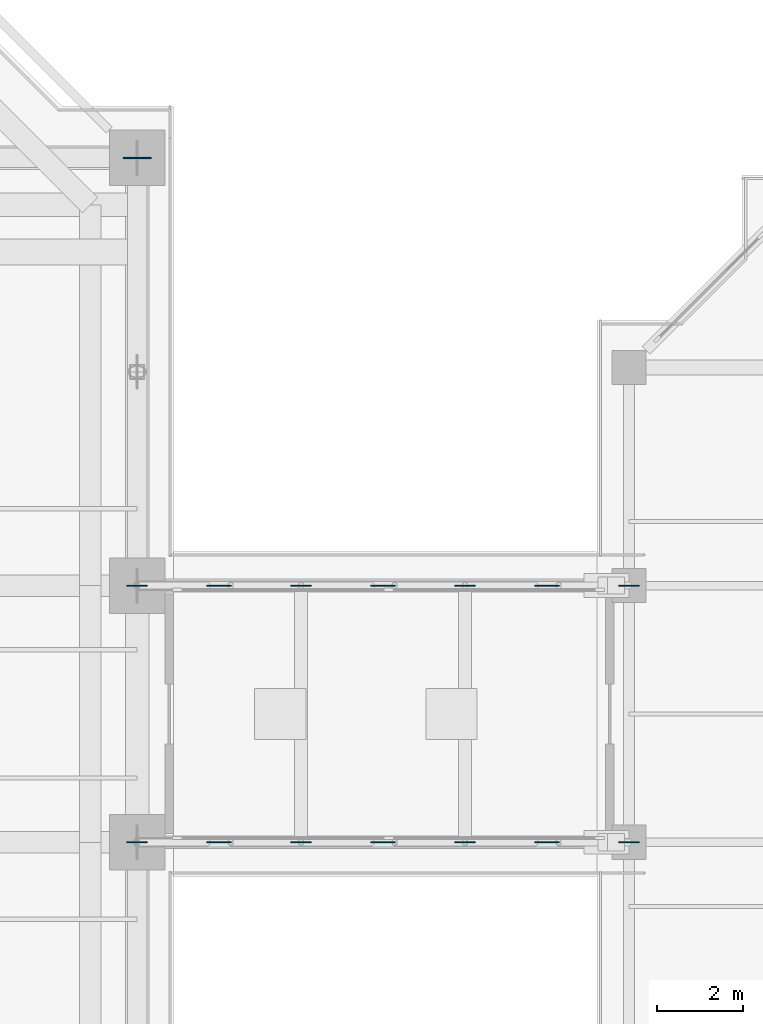
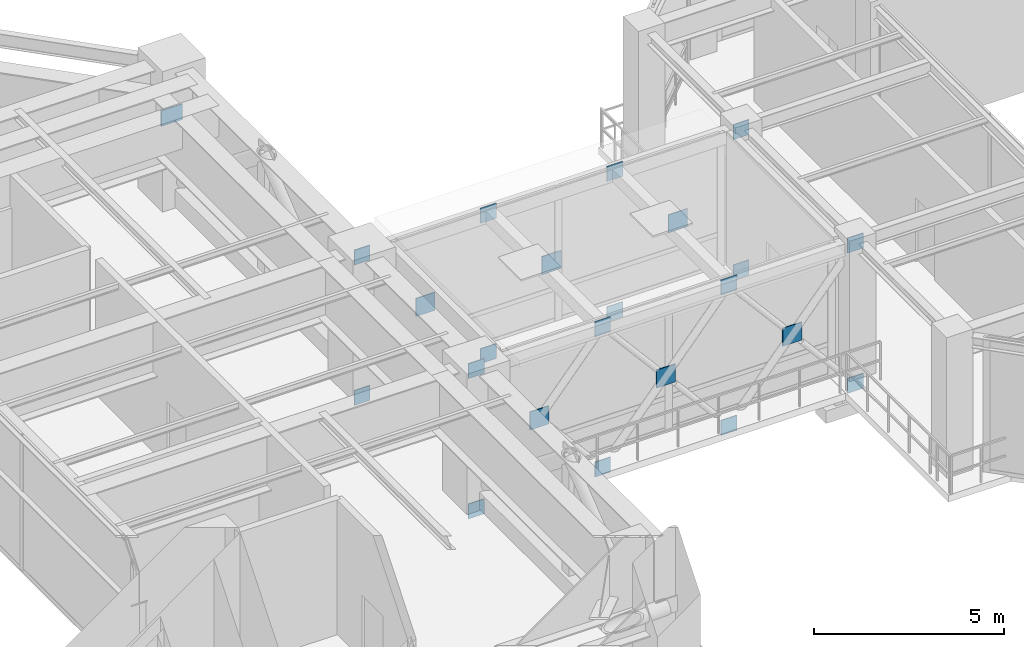
# One storey, part 16 of 25: 23 plates.
"""IFC4 building model written with IfcOpenShell, lengths in metres."""

from ifc_helpers import new_model, si_unit, direction, frame, origin, origin_2d, place, context, subcontext, project, spatial, rectangle, extrude, source, transform, mapped, material, layer, layer_set, type_object, element, save


model = new_model("IFC4")

# Units and contexts
model_context = context("Model", 3, precision=1e-05, world=origin(), true_north=direction((0.0, 1.0)))
body_context = subcontext(model_context, "Body", "Model", "MODEL_VIEW")
ifc_project = project(units=[si_unit("LENGTHUNIT", "METRE"), si_unit("AREAUNIT", "SQUARE_METRE"), si_unit("VOLUMEUNIT", "CUBIC_METRE"), si_unit("PLANEANGLEUNIT", "RADIAN"), si_unit("MASSUNIT", "GRAM", prefix="KILO"), si_unit("THERMODYNAMICTEMPERATUREUNIT", "KELVIN"), si_unit("POWERUNIT", "WATT")], contexts=[model_context])

# Site, building, storey
site_placement = place(None, origin())
site = spatial("IfcSite", under=ifc_project, at=site_placement, CompositionType="ELEMENT")
building_placement = place(site_placement, origin())
building = spatial("IfcBuilding", under=site, at=building_placement, Name="Qiaomeng Ring Towers", CompositionType="ELEMENT")
storey_placement = place(building_placement, frame((0.0, 0.0, 92.5)))
storey = spatial("IfcBuildingStorey", under=building, at=storey_placement, Name="L26", CompositionType="ELEMENT", Elevation=92.5)

# Plates
ifc_material = material(Name="Steel Q390GJC", Category="steel")
ifc_layer = layer(ifc_material, 0.031982421875, Name="Steel Q390GJC")
ifc_layer_set = layer_set([ifc_layer], Name="Steel Q390GJC")
plate_type = type_object("IfcPlateType", Name="STR-PL-GUSSET", PredefinedType="USERDEFINED", material=ifc_layer_set)
shared_shape_1 = source(origin(), body_context, "Body", "SweptSolid", [
    extrude(rectangle(XDim=0.64990234375, YDim=0.035888671875, at=origin_2d()), origin(), (0.0, 0.0, 1.0), 0.5),
])
plate_placement = place(storey_placement, frame((37.14990234375, 36.0, 2.25), z_axis=(0.0, 0.0, 1.0), x_axis=(1.0, 0.0, 0.0)))
element("IfcPlate", 1, at=plate_placement, inside=storey, type_object=plate_type, Name="L26 Outrigger Column Node Gusset Plate E4", ObjectType="GUSSET PLATE", PredefinedType="USERDEFINED", context=body_context, shape_type="MappedRepresentation", body=[
    mapped(shared_shape_1, transform((0.0, 0.0, 0.0), x_axis=(1.0, 0.0, 0.0), y_axis=(0.0, 1.0, 0.0), z_axis=(0.0, 0.0, 1.0), scale=1.0)),
])
shared_shape_2 = source(origin(), body_context, "Body", "SweptSolid", [
    extrude(rectangle(XDim=0.580078125, YDim=0.028076171875, at=origin_2d()), origin(), (0.0, 0.0, 1.0), 0.580078125),
])
for number, where, z_axis, x_axis, name in (
    (2, (39.06640625, 20.0, 1.530029296875), (0.0, 0.0, 1.0), (1.0, 0.0, 0.0), "Skybridge Bridge SB2 X-Brace Crossing Gusset Plate S-1"),
    (3, (42.89990234375, 20.0, 1.530029296875), (0.0, 0.0, 1.0), (1.0, 0.0, 0.0), "Skybridge Bridge SB2 X-Brace Crossing Gusset Plate S-2"),
    (4, (46.7333984375, 20.0, 1.530029296875), (0.0, 0.0, 1.0), (1.0, 0.0, 0.0), "Skybridge Bridge SB2 X-Brace Crossing Gusset Plate S-3"),
    (5, (39.06640625, 26.0, 1.530029296875), (0.0, 0.0, 1.0), (1.0, 0.0, 0.0), "Skybridge Bridge SB2 X-Brace Crossing Gusset Plate N-1"),
    (6, (42.89990234375, 26.0, 1.530029296875), (0.0, 0.0, 1.0), (1.0, 0.0, 0.0), "Skybridge Bridge SB2 X-Brace Crossing Gusset Plate N-2"),
    (7, (46.7333984375, 26.0, 1.530029296875), (0.0, 0.0, 1.0), (1.0, 0.0, 0.0), "Skybridge Bridge SB2 X-Brace Crossing Gusset Plate N-3"),
):
    element("IfcPlate", number, at=place(storey_placement, frame(where, z_axis=z_axis, x_axis=x_axis)), inside=storey, type_object=plate_type, Name=name, ObjectType="GUSSET PLATE", PredefinedType="USERDEFINED", context=body_context, shape_type="MappedRepresentation", body=[
        mapped(shared_shape_2, transform((0.0, 0.0, 0.0), x_axis=(1.0, 0.0, 0.0), y_axis=(0.0, 1.0, 0.0), z_axis=(0.0, 0.0, 1.0), scale=1.0)),
    ])
shared_shape_3 = source(origin(), body_context, "Body", "SweptSolid", [
    extrude(rectangle(XDim=0.47998046875, YDim=0.028076171875, at=origin_2d()), origin(), (0.0, 0.0, 1.0), 0.47998046875),
])
for number, where, z_axis, x_axis, name in (
    (8, (37.14990234375, 20.0, -0.669921875), (0.0, 0.0, 1.0), (1.0, 0.0, 0.0), "Skybridge Bridge SB2 Chord Gusset S-1-BL"),
    (9, (40.98291015625, 20.0, -0.669921875), (0.0, 0.0, 1.0), (1.0, 0.0, 0.0), "Skybridge Bridge SB2 Chord Gusset S-1-BR"),
    (10, (37.14990234375, 20.0, 3.830078125), (0.0, 0.0, 1.0), (1.0, 0.0, 0.0), "Skybridge Bridge SB2 Chord Gusset S-1-TL"),
    (11, (40.98291015625, 20.0, 3.830078125), (0.0, 0.0, 1.0), (1.0, 0.0, 0.0), "Skybridge Bridge SB2 Chord Gusset S-1-TR"),
    (12, (44.81689453125, 20.0, -0.669921875), (0.0, 0.0, 1.0), (1.0, 0.0, 0.0), "Skybridge Bridge SB2 Chord Gusset S-2-BR"),
    (13, (44.81689453125, 20.0, 3.830078125), (0.0, 0.0, 1.0), (1.0, 0.0, 0.0), "Skybridge Bridge SB2 Chord Gusset S-2-TR"),
    (14, (48.64990234375, 20.0, -0.669921875), (0.0, 0.0, 1.0), (1.0, 0.0, 0.0), "Skybridge Bridge SB2 Chord Gusset S-3-BR"),
    (15, (48.64990234375, 20.0, 3.830078125), (0.0, 0.0, 1.0), (1.0, 0.0, 0.0), "Skybridge Bridge SB2 Chord Gusset S-3-TR"),
    (16, (37.14990234375, 26.0, -0.669921875), (0.0, 0.0, 1.0), (1.0, 0.0, 0.0), "Skybridge Bridge SB2 Chord Gusset N-1-BL"),
    (17, (40.98291015625, 26.0, -0.669921875), (0.0, 0.0, 1.0), (1.0, 0.0, 0.0), "Skybridge Bridge SB2 Chord Gusset N-1-BR"),
    (18, (37.14990234375, 26.0, 3.830078125), (0.0, 0.0, 1.0), (1.0, 0.0, 0.0), "Skybridge Bridge SB2 Chord Gusset N-1-TL"),
    (19, (40.98291015625, 26.0, 3.830078125), (0.0, 0.0, 1.0), (1.0, 0.0, 0.0), "Skybridge Bridge SB2 Chord Gusset N-1-TR"),
    (20, (44.81689453125, 26.0, -0.669921875), (0.0, 0.0, 1.0), (1.0, 0.0, 0.0), "Skybridge Bridge SB2 Chord Gusset N-2-BR"),
    (21, (44.81689453125, 26.0, 3.830078125), (0.0, 0.0, 1.0), (1.0, 0.0, 0.0), "Skybridge Bridge SB2 Chord Gusset N-2-TR"),
    (22, (48.64990234375, 26.0, -0.669921875), (0.0, 0.0, 1.0), (1.0, 0.0, 0.0), "Skybridge Bridge SB2 Chord Gusset N-3-BR"),
    (23, (48.64990234375, 26.0, 3.830078125), (0.0, 0.0, 1.0), (1.0, 0.0, 0.0), "Skybridge Bridge SB2 Chord Gusset N-3-TR"),
):
    element("IfcPlate", number, at=place(storey_placement, frame(where, z_axis=z_axis, x_axis=x_axis)), inside=storey, type_object=plate_type, Name=name, ObjectType="GUSSET PLATE", PredefinedType="USERDEFINED", context=body_context, shape_type="MappedRepresentation", body=[
        mapped(shared_shape_3, transform((0.0, 0.0, 0.0), x_axis=(1.0, 0.0, 0.0), y_axis=(0.0, 1.0, 0.0), z_axis=(0.0, 0.0, 1.0), scale=1.0)),
    ])

save(model, "model.ifc")
